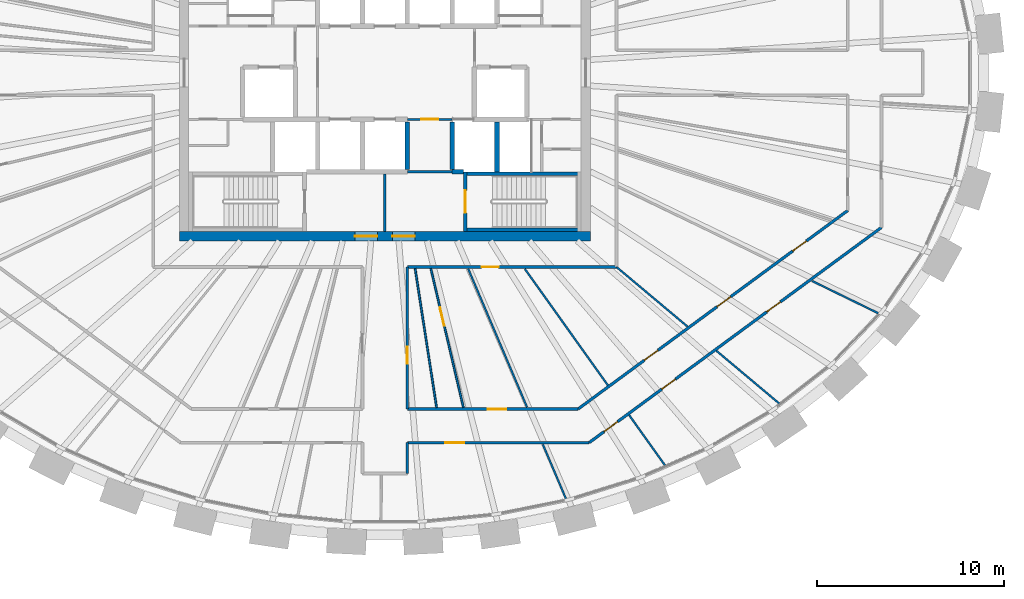
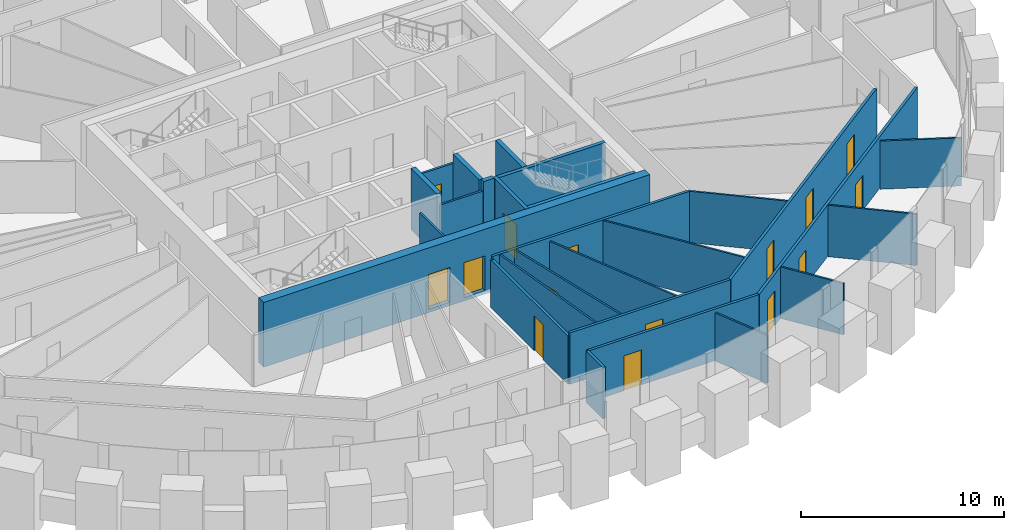
# One storey, part 8 of 12: 27 walls, 15 doors, 15 openings.
"""IFC4 building model written with IfcOpenShell, lengths in metres."""

from ifc_helpers import new_model, si_unit, direction, frame, frame_2d, origin, place, context, subcontext, project, spatial, rectangle, extrude, source, transform, mapped, material, layer, layer_set, type_object, element, fill, save


model = new_model("IFC4")

# Units and contexts
model_context = context("Model", 3, precision=1e-05, world=origin(), true_north=direction((0.0, 1.0)))
body_context = subcontext(model_context, "Body", "Model", "MODEL_VIEW")
ifc_project = project(units=[si_unit("LENGTHUNIT", "METRE"), si_unit("AREAUNIT", "SQUARE_METRE"), si_unit("VOLUMEUNIT", "CUBIC_METRE"), si_unit("PLANEANGLEUNIT", "RADIAN"), si_unit("MASSUNIT", "GRAM", prefix="KILO")], contexts=[model_context])

# Site, building, storey
site_placement = place(None, origin())
site = spatial("IfcSite", under=ifc_project, at=site_placement, CompositionType="ELEMENT")
building_placement = place(site_placement, origin())
building = spatial("IfcBuilding", under=site, at=building_placement, Name="Embergate Tower", CompositionType="ELEMENT")
storey_placement = place(building_placement, frame((0.0, 0.0, 269.5)))
storey = spatial("IfcBuildingStorey", under=building, at=storey_placement, Name="L62", CompositionType="ELEMENT", Elevation=269.5)

# Wall, openings, doors
ifc_material_1 = material(Name="Concrete C50", Category="concrete")
ifc_layer_1 = layer(ifc_material_1, 0.5)
ifc_layer_set_1 = layer_set([ifc_layer_1], Name="Concrete C50")
wall_type_1 = type_object("IfcWallType", Name="Core outer wall C50 500", PredefinedType="SHEAR", material=ifc_layer_set_1)
shared_shape_1 = source(origin(), body_context, "Body", "SweptSolid", [
    extrude(rectangle(XDim=22.0, YDim=0.5, at=frame_2d((11.0, 0.0))), origin(), (0.0, 0.0, 1.0), 3.89990234375),
])
wall_1_placement = place(storey_placement, frame((-11.0, -8.75, -0.199951171875), z_axis=(0.0, 0.0, 1.0), x_axis=(1.0, 0.0, 0.0)))
wall_1 = element("IfcWall", 1, at=wall_1_placement, inside=storey, type_object=wall_type_1, Name="CW-L62-S", PredefinedType="SHEAR", context=body_context, shape_type="MappedRepresentation", body=[
    mapped(shared_shape_1, transform((0.0, 0.0, 0.0))),
])
shared_shape_2 = source(origin(), body_context, "Body", "SweptSolid", [
    extrude(rectangle(XDim=1.199951171875, YDim=2.10009765625, at=frame_2d((0.60009765625, 1.050048828125))), frame((0.0, 0.260009765625, 0.0), z_axis=(0.0, -1.0, 0.0), x_axis=(1.0, 0.0, 0.0)), (0.0, 0.0, 1.0), 0.52001953125),
])
opening_1_placement = place(wall_1_placement, frame((9.39990234375, 0.0, 0.199951171875)))
opening_1 = element("IfcOpeningElement", 2, at=opening_1_placement, cuts=wall_1, Name="Opening IF-1", PredefinedType="OPENING", context=body_context, shape_type="MappedRepresentation", body=[
    mapped(shared_shape_2, transform((0.0, 0.0, 0.0))),
])
opening_2_placement = place(wall_1_placement, frame((11.39990234375, 0.0, 0.199951171875)))
opening_2 = element("IfcOpeningElement", 3, at=opening_2_placement, cuts=wall_1, Name="Opening IF-1", PredefinedType="OPENING", context=body_context, shape_type="MappedRepresentation", body=[
    mapped(shared_shape_2, transform((0.0, 0.0, 0.0))),
])
ifc_material_2 = material(Name="Escape fire door 1200")
door_type_1 = type_object("IfcDoorType", Name="Escape fire door 1200", OperationType="SINGLE_SWING_LEFT", PredefinedType="DOOR", material=ifc_material_2)
shared_shape_3 = source(origin(), body_context, "Body", "SweptSolid", [
    extrude(rectangle(XDim=1.199951171875, YDim=2.10009765625, at=frame_2d((0.60009765625, 1.050048828125))), frame((0.0, 0.02490234375, 0.0), z_axis=(0.0, -1.0, 0.0), x_axis=(1.0, 0.0, 0.0)), (0.0, 0.0, 1.0), 0.050048828125),
])
door_1_placement = place(opening_1_placement, origin())
door_1 = element("IfcDoor", 4, at=door_1_placement, inside=storey, type_object=door_type_1, Name="IF-1 door", OperationType="SINGLE_SWING_RIGHT", OverallHeight=2.10009765625, OverallWidth=1.199951171875, PredefinedType="DOOR", context=body_context, shape_type="MappedRepresentation", body=[
    mapped(shared_shape_3, transform((0.0, 0.0, 0.0))),
])
fill(opening_1, door_1)
door_2_placement = place(opening_2_placement, origin())
door_2 = element("IfcDoor", 5, at=door_2_placement, inside=storey, type_object=door_type_1, Name="IF-1 door", OperationType="SINGLE_SWING_LEFT", OverallHeight=2.10009765625, OverallWidth=1.199951171875, PredefinedType="DOOR", context=body_context, shape_type="MappedRepresentation", body=[
    mapped(shared_shape_3, transform((0.0, 0.0, 0.0))),
])
fill(opening_2, door_2)

# Walls
ifc_layer_2 = layer(ifc_material_1, 0.25)
ifc_layer_set_2 = layer_set([ifc_layer_2], Name="Concrete C50")
wall_type_2 = type_object("IfcWallType", Name="Hoistway wall reinforced concrete 250", PredefinedType="SHEAR", material=ifc_layer_set_2)
shared_shape_4 = source(origin(), body_context, "Body", "SweptSolid", [
    extrude(rectangle(XDim=2.675048828125, YDim=0.25, at=frame_2d((1.33740234375, 0.0))), origin(), (0.0, 0.0, 1.0), 3.699951171875),
])
wall_2_placement = place(storey_placement, frame((6.0, -5.300048828125, 0.0), z_axis=(0.0, 0.0, 1.0), x_axis=(0.0, 1.0, 0.0)))
element("IfcWall", 6, at=wall_2_placement, inside=storey, type_object=wall_type_2, Name="HW-1 wall", PredefinedType="SHEAR", context=body_context, shape_type="MappedRepresentation", body=[
    mapped(shared_shape_4, transform((0.0, 0.0, 0.0))),
])
ifc_layer_3 = layer(ifc_material_1, 0.199951171875)
ifc_layer_set_3 = layer_set([ifc_layer_3], Name="Concrete C50")
wall_type_3 = type_object("IfcWallType", Name="Stair enclosure wall reinforced concrete 250", PredefinedType="SHEAR", material=ifc_layer_set_3)
shared_shape_5 = source(origin(), body_context, "Body", "SweptSolid", [
    extrude(rectangle(XDim=6.300048828125, YDim=0.199951171875, at=frame_2d((3.14990234375, 0.0))), origin(), (0.0, 0.0, 1.0), 3.699951171875),
])
wall_3_placement = place(storey_placement, frame((4.199951171875, -5.39990234375, 0.0), z_axis=(0.0, 0.0, 1.0), x_axis=(1.0, 0.0, 0.0)))
element("IfcWall", 7, at=wall_3_placement, inside=storey, type_object=wall_type_3, Name="SE-1 wall", PredefinedType="SHEAR", context=body_context, shape_type="MappedRepresentation", body=[
    mapped(shared_shape_5, transform((0.0, 0.0, 0.0))),
])
shared_shape_6 = source(origin(), body_context, "Body", "SweptSolid", [
    extrude(rectangle(XDim=2.550048828125, YDim=0.25, at=frame_2d((1.27490234375, 0.0))), origin(), (0.0, 0.0, 1.0), 3.699951171875),
])
for number, where, z_axis, x_axis, name in (
    (8, (1.199951171875, -5.175048828125, 0.0), (0.0, 0.0, 1.0), (0.0, 1.0, 0.0), "HW-1 wall"),
    (9, (3.60009765625, -2.625, 0.0), (0.0, 0.0, 1.0), (0.0, -1.0, 0.0), "HW-1 wall"),
):
    element("IfcWall", number, at=place(storey_placement, frame(where, z_axis=z_axis, x_axis=x_axis)), inside=storey, type_object=wall_type_2, Name=name, PredefinedType="SHEAR", context=body_context, shape_type="MappedRepresentation", body=[
        mapped(shared_shape_6, transform((0.0, 0.0, 0.0))),
    ])

# Wall, opening, door
shared_shape_7 = source(origin(), body_context, "Body", "SweptSolid", [
    extrude(rectangle(XDim=3.199951171875, YDim=0.199951171875, at=frame_2d((1.60009765625, 0.0))), origin(), (0.0, 0.0, 1.0), 3.699951171875),
])
wall_4_placement = place(storey_placement, frame((4.300048828125, -5.300048828125, 0.0), z_axis=(0.0, 0.0, 1.0), x_axis=(0.0, -1.0, 0.0)))
wall_4 = element("IfcWall", 10, at=wall_4_placement, inside=storey, type_object=wall_type_3, Name="SE-1 wall", PredefinedType="SHEAR", context=body_context, shape_type="MappedRepresentation", body=[
    mapped(shared_shape_7, transform((0.0, 0.0, 0.0))),
])
shared_shape_8 = source(origin(), body_context, "Body", "SweptSolid", [
    extrude(rectangle(XDim=1.199951171875, YDim=2.10009765625, at=frame_2d((0.60009765625, 1.050048828125))), frame((0.0, 0.10986328125, 0.0), z_axis=(0.0, -1.0, 0.0), x_axis=(1.0, 0.0, 0.0)), (0.0, 0.0, 1.0), 0.219970703125),
])
opening_3_placement = place(wall_4_placement, frame((1.0, 0.0, 0.0)))
opening_3 = element("IfcOpeningElement", 11, at=opening_3_placement, cuts=wall_4, Name="Opening IF-2", PredefinedType="OPENING", context=body_context, shape_type="MappedRepresentation", body=[
    mapped(shared_shape_8, transform((0.0, 0.0, 0.0))),
])
ifc_material_3 = material(Name="Stair enclosure door 1200")
door_type_2 = type_object("IfcDoorType", Name="Stair enclosure door 1200", OperationType="SINGLE_SWING_LEFT", PredefinedType="DOOR", material=ifc_material_3)
door_3_placement = place(opening_3_placement, origin())
door_3 = element("IfcDoor", 12, at=door_3_placement, inside=storey, type_object=door_type_2, Name="IF-2 door", OperationType="SINGLE_SWING_LEFT", OverallHeight=2.10009765625, OverallWidth=1.199951171875, PredefinedType="DOOR", context=body_context, shape_type="MappedRepresentation", body=[
    mapped(shared_shape_3, transform((0.0, 0.0, 0.0))),
])
fill(opening_3, door_3)

# Walls
shared_shape_9 = source(origin(), body_context, "Body", "SweptSolid", [
    extrude(rectangle(XDim=0.599853515625, YDim=0.25, at=frame_2d((0.2998046875, 0.0))), origin(), (0.0, 0.0, 1.0), 3.699951171875),
])
wall_5_placement = place(storey_placement, frame((3.60009765625, -5.300048828125, 0.0), z_axis=(0.0, 0.0, 1.0), x_axis=(1.0, 0.0, 0.0)))
element("IfcWall", 13, at=wall_5_placement, inside=storey, type_object=wall_type_2, Name="HW-1 wall", PredefinedType="SHEAR", context=body_context, shape_type="MappedRepresentation", body=[
    mapped(shared_shape_9, transform((0.0, 0.0, 0.0))),
])
shared_shape_10 = source(origin(), body_context, "Body", "SweptSolid", [
    extrude(rectangle(XDim=6.298095703125, YDim=0.199951171875, at=frame_2d((3.14892578125, 0.0))), origin(), (0.0, 0.0, 1.0), 3.699951171875),
])
wall_6_placement = place(storey_placement, frame((4.201904296875, -8.39990234375, 0.0), z_axis=(0.0, 0.0, 1.0), x_axis=(1.0, 0.0, 0.0)))
element("IfcWall", 14, at=wall_6_placement, inside=storey, type_object=wall_type_3, Name="SE-1 wall", PredefinedType="SHEAR", context=body_context, shape_type="MappedRepresentation", body=[
    mapped(shared_shape_10, transform((0.0, 0.0, 0.0))),
])

# Wall, opening, door
ifc_material_4 = material(Name="Corridor wall dry-lined 150")
ifc_layer_4 = layer(ifc_material_4, 0.14990234375)
ifc_layer_set_4 = layer_set([ifc_layer_4], Name="Corridor wall dry-lined 150")
wall_type_4 = type_object("IfcWallType", Name="Corridor wall dry-lined 150", PredefinedType="PARTITIONING", material=ifc_layer_set_4)
shared_shape_11 = source(origin(), body_context, "Body", "SweptSolid", [
    extrude(rectangle(XDim=11.199951171875, YDim=0.14990234375, at=frame_2d((5.60009765625, 0.0))), origin(), (0.0, 0.0, 1.0), 3.10009765625),
])
wall_7_placement = place(storey_placement, frame((12.39990234375, -10.39990234375, 0.0), z_axis=(0.0, 0.0, 1.0), x_axis=(-1.0, 0.0, 0.0)))
wall_7 = element("IfcWall", 15, at=wall_7_placement, inside=storey, type_object=wall_type_4, Name="IP-2 wall", PredefinedType="PARTITIONING", context=body_context, shape_type="MappedRepresentation", body=[
    mapped(shared_shape_11, transform((0.0, 0.0, 0.0))),
])
shared_shape_12 = source(origin(), body_context, "Body", "SweptSolid", [
    extrude(rectangle(XDim=0.89990234375, YDim=2.10009765625, at=frame_2d((0.449951171875, 1.050048828125))), frame((0.0, 0.0849609375, 0.0), z_axis=(0.0, -1.0, 0.0), x_axis=(1.0, 0.0, 0.0)), (0.0, 0.0, 1.0), 0.169921875),
])
opening_4_placement = place(wall_7_placement, frame((6.31396484375, 0.0, 0.0)))
opening_4 = element("IfcOpeningElement", 16, at=opening_4_placement, cuts=wall_7, Name="Opening IF-1c", PredefinedType="OPENING", context=body_context, shape_type="MappedRepresentation", body=[
    mapped(shared_shape_12, transform((0.0, 0.0, 0.0))),
])
ifc_material_5 = material(Name="Escape fire door 900")
door_type_3 = type_object("IfcDoorType", Name="Escape fire door 900", OperationType="SINGLE_SWING_LEFT", PredefinedType="DOOR", material=ifc_material_5)
shared_shape_13 = source(origin(), body_context, "Body", "SweptSolid", [
    extrude(rectangle(XDim=0.89990234375, YDim=2.10009765625, at=frame_2d((0.449951171875, 1.050048828125))), frame((0.0, 0.02490234375, 0.0), z_axis=(0.0, -1.0, 0.0), x_axis=(1.0, 0.0, 0.0)), (0.0, 0.0, 1.0), 0.050048828125),
])
door_4_placement = place(opening_4_placement, origin())
door_4 = element("IfcDoor", 17, at=door_4_placement, inside=storey, type_object=door_type_3, Name="IF-1 door", OperationType="SINGLE_SWING_LEFT", OverallHeight=2.10009765625, OverallWidth=0.89990234375, PredefinedType="DOOR", context=body_context, shape_type="MappedRepresentation", body=[
    mapped(shared_shape_13, transform((0.0, 0.0, 0.0))),
])
fill(opening_4, door_4)

ifc_material_6 = material(Name="Core partition blockwork 120")
ifc_layer_5 = layer(ifc_material_6, 0.1201171875)
ifc_layer_set_5 = layer_set([ifc_layer_5], Name="Core partition blockwork 120")
wall_type_5 = type_object("IfcWallType", Name="Core partition blockwork 120", PredefinedType="PARTITIONING", material=ifc_layer_set_5)
shared_shape_14 = source(origin(), body_context, "Body", "SweptSolid", [
    extrude(rectangle(XDim=2.400146484375, YDim=0.1201171875, at=frame_2d((1.2001953125, 0.0))), origin(), (0.0, 0.0, 1.0), 3.10009765625),
])
wall_8_placement = place(storey_placement, frame((1.199951171875, -2.5, 0.0), z_axis=(0.0, 0.0, 1.0), x_axis=(1.0, 0.0, 0.0)))
wall_8 = element("IfcWall", 18, at=wall_8_placement, inside=storey, type_object=wall_type_5, Name="IP-3 wall", PredefinedType="PARTITIONING", context=body_context, shape_type="MappedRepresentation", body=[
    mapped(shared_shape_14, transform((0.0, 0.0, 0.0))),
])
shared_shape_15 = source(origin(), body_context, "Body", "SweptSolid", [
    extrude(rectangle(XDim=0.89990234375, YDim=2.10009765625, at=frame_2d((0.449951171875, 1.050048828125))), frame((0.0, 0.070068359375, 0.0), z_axis=(0.0, -1.0, 0.0), x_axis=(1.0, 0.0, 0.0)), (0.0, 0.0, 1.0), 0.14013671875),
])
opening_5_placement = place(wall_8_placement, frame((0.75, 0.0, 0.0)))
opening_5 = element("IfcOpeningElement", 19, at=opening_5_placement, cuts=wall_8, Name="Opening ID-1", PredefinedType="OPENING", context=body_context, shape_type="MappedRepresentation", body=[
    mapped(shared_shape_15, transform((0.0, 0.0, 0.0))),
])
ifc_material_7 = material(Name="Interior door 900")
door_type_4 = type_object("IfcDoorType", Name="Interior door 900", OperationType="SINGLE_SWING_LEFT", PredefinedType="DOOR", material=ifc_material_7)
door_5_placement = place(opening_5_placement, origin())
door_5 = element("IfcDoor", 20, at=door_5_placement, inside=storey, type_object=door_type_4, Name="ID-1 door", OperationType="SINGLE_SWING_LEFT", OverallHeight=2.10009765625, OverallWidth=0.89990234375, PredefinedType="DOOR", context=body_context, shape_type="MappedRepresentation", body=[
    mapped(shared_shape_13, transform((0.0, 0.0, 0.0))),
])
fill(opening_5, door_5)

# Walls
wall_9_placement = place(storey_placement, frame((3.60009765625, -5.300048828125, 0.0), z_axis=(0.0, 0.0, 1.0), x_axis=(-1.0, 0.0, 0.0)))
element("IfcWall", 21, at=wall_9_placement, inside=storey, type_object=wall_type_5, Name="IP-3 wall", PredefinedType="PARTITIONING", context=body_context, shape_type="MappedRepresentation", body=[
    mapped(shared_shape_14, transform((0.0, 0.0, 0.0))),
])
shared_shape_16 = source(origin(), body_context, "Body", "SweptSolid", [
    extrude(rectangle(XDim=3.074951171875, YDim=0.1201171875, at=frame_2d((1.53759765625, 0.0))), origin(), (0.0, 0.0, 1.0), 3.10009765625),
])
wall_10_placement = place(storey_placement, frame((0.0, -8.5, 0.0), z_axis=(0.0, 0.0, 1.0), x_axis=(0.0, 1.0, 0.0)))
element("IfcWall", 22, at=wall_10_placement, inside=storey, type_object=wall_type_5, Name="IP-3 wall", PredefinedType="PARTITIONING", context=body_context, shape_type="MappedRepresentation", body=[
    mapped(shared_shape_16, transform((0.0, 0.0, 0.0))),
])

# Wall, openings, doors
ifc_material_8 = material(Name="Corridor wall dry-lined 150 wet")
ifc_layer_6 = layer(ifc_material_8, 0.14990234375)
ifc_layer_set_6 = layer_set([ifc_layer_6], Name="Corridor wall dry-lined 150 wet")
wall_type_6 = type_object("IfcWallType", Name="Corridor wall dry-lined 150 wet", PredefinedType="PLUMBINGWALL", material=ifc_layer_set_6)
shared_shape_17 = source(origin(), body_context, "Body", "SweptSolid", [
    extrude(rectangle(XDim=19.429931640625, YDim=0.14990234375, at=frame_2d((9.71484375, 0.0))), origin(), (0.0, 0.0, 1.0), 3.10009765625),
])
wall_11_placement = place(storey_placement, frame((26.5810546875, -8.283935546875, 0.0), z_axis=(0.0, 0.0, 1.0), x_axis=(-0.8053507143, -0.592798639486, 0.0)))
wall_11 = element("IfcWall", 23, at=wall_11_placement, inside=storey, type_object=wall_type_6, Name="IP-2 wall", PredefinedType="PLUMBINGWALL", context=body_context, shape_type="MappedRepresentation", body=[
    mapped(shared_shape_17, transform((0.0, 0.0, 0.0))),
])
opening_6_placement = place(wall_11_placement, frame((17.53515625, 0.0, 0.0)))
opening_6 = element("IfcOpeningElement", 24, at=opening_6_placement, cuts=wall_11, Name="Opening IF-1c", PredefinedType="OPENING", context=body_context, shape_type="MappedRepresentation", body=[
    mapped(shared_shape_12, transform((0.0, 0.0, 0.0))),
])
opening_7_placement = place(wall_11_placement, frame((13.70068359375, 0.0, 0.0)))
opening_7 = element("IfcOpeningElement", 25, at=opening_7_placement, cuts=wall_11, Name="Opening IF-1c", PredefinedType="OPENING", context=body_context, shape_type="MappedRepresentation", body=[
    mapped(shared_shape_12, transform((0.0, 0.0, 0.0))),
])
opening_8_placement = place(wall_11_placement, frame((6.720703125, 0.0, 0.0)))
opening_8 = element("IfcOpeningElement", 26, at=opening_8_placement, cuts=wall_11, Name="Opening IF-1c", PredefinedType="OPENING", context=body_context, shape_type="MappedRepresentation", body=[
    mapped(shared_shape_12, transform((0.0, 0.0, 0.0))),
])
door_6_placement = place(opening_6_placement, origin())
door_6 = element("IfcDoor", 27, at=door_6_placement, inside=storey, type_object=door_type_3, Name="IF-1 door", OperationType="SINGLE_SWING_RIGHT", OverallHeight=2.10009765625, OverallWidth=0.89990234375, PredefinedType="DOOR", context=body_context, shape_type="MappedRepresentation", body=[
    mapped(shared_shape_13, transform((0.0, 0.0, 0.0))),
])
fill(opening_6, door_6)
door_7_placement = place(opening_7_placement, origin())
door_7 = element("IfcDoor", 28, at=door_7_placement, inside=storey, type_object=door_type_3, Name="IF-1 door", OperationType="SINGLE_SWING_RIGHT", OverallHeight=2.10009765625, OverallWidth=0.89990234375, PredefinedType="DOOR", context=body_context, shape_type="MappedRepresentation", body=[
    mapped(shared_shape_13, transform((0.0, 0.0, 0.0))),
])
fill(opening_7, door_7)
door_8_placement = place(opening_8_placement, origin())
door_8 = element("IfcDoor", 29, at=door_8_placement, inside=storey, type_object=door_type_3, Name="IF-1 door", OperationType="SINGLE_SWING_LEFT", OverallHeight=2.10009765625, OverallWidth=0.89990234375, PredefinedType="DOOR", context=body_context, shape_type="MappedRepresentation", body=[
    mapped(shared_shape_13, transform((0.0, 0.0, 0.0))),
])
fill(opening_8, door_8)

# Wall, opening, door
shared_shape_18 = source(origin(), body_context, "Body", "SweptSolid", [
    extrude(rectangle(XDim=9.733154296875, YDim=0.14990234375, at=frame_2d((4.86669921875, 0.0))), origin(), (0.0, 0.0, 1.0), 3.10009765625),
])
wall_12_placement = place(storey_placement, frame((10.93310546875, -19.802001953125, 0.0), z_axis=(0.0, 0.0, 1.0), x_axis=(-1.0, 0.0, 0.0)))
wall_12 = element("IfcWall", 30, at=wall_12_placement, inside=storey, type_object=wall_type_4, Name="IP-2 wall", PredefinedType="PARTITIONING", context=body_context, shape_type="MappedRepresentation", body=[
    mapped(shared_shape_18, transform((0.0, 0.0, 0.0))),
])
shared_shape_19 = source(origin(), body_context, "Body", "SweptSolid", [
    extrude(rectangle(XDim=1.0, YDim=2.10009765625, at=frame_2d((0.5, 1.050048828125))), frame((0.0, 0.0849609375, 0.0), z_axis=(0.0, -1.0, 0.0), x_axis=(1.0, 0.0, 0.0)), (0.0, 0.0, 1.0), 0.169921875),
])
opening_9_placement = place(wall_12_placement, frame((6.69189453125, 0.0, 0.0)))
opening_9 = element("IfcOpeningElement", 31, at=opening_9_placement, cuts=wall_12, Name="Opening ID-2", PredefinedType="OPENING", context=body_context, shape_type="MappedRepresentation", body=[
    mapped(shared_shape_19, transform((0.0, 0.0, 0.0))),
])
ifc_material_9 = material(Name="Interior door 1000")
door_type_5 = type_object("IfcDoorType", Name="Interior door 1000", OperationType="SINGLE_SWING_LEFT", PredefinedType="DOOR", material=ifc_material_9)
shared_shape_20 = source(origin(), body_context, "Body", "SweptSolid", [
    extrude(rectangle(XDim=1.0, YDim=2.10009765625, at=frame_2d((0.5, 1.050048828125))), frame((0.0, 0.02490234375, 0.0), z_axis=(0.0, -1.0, 0.0), x_axis=(1.0, 0.0, 0.0)), (0.0, 0.0, 1.0), 0.050048828125),
])
door_9_placement = place(opening_9_placement, origin())
door_9 = element("IfcDoor", 32, at=door_9_placement, inside=storey, type_object=door_type_5, Name="ID-2 door", OperationType="SINGLE_SWING_RIGHT", OverallHeight=2.10009765625, OverallWidth=1.0, PredefinedType="DOOR", context=body_context, shape_type="MappedRepresentation", body=[
    mapped(shared_shape_20, transform((0.0, 0.0, 0.0))),
])
fill(opening_9, door_9)

# Wall, openings, doors
shared_shape_21 = source(origin(), body_context, "Body", "SweptSolid", [
    extrude(rectangle(XDim=17.9287109375, YDim=0.14990234375, at=frame_2d((8.96435546875, 0.0))), origin(), (0.0, 0.0, 1.0), 3.10009765625),
])
wall_13_placement = place(storey_placement, frame((10.342041015625, -18.001953125, 0.0), z_axis=(0.0, 0.0, 1.0), x_axis=(0.805356928681, 0.592790196803, 0.0)))
wall_13 = element("IfcWall", 33, at=wall_13_placement, inside=storey, type_object=wall_type_6, Name="IP-2 wall", PredefinedType="PLUMBINGWALL", context=body_context, shape_type="MappedRepresentation", body=[
    mapped(shared_shape_21, transform((0.0, 0.0, 0.0))),
])
opening_10_placement = place(wall_13_placement, frame((4.39990234375, 0.0, 0.0)))
opening_10 = element("IfcOpeningElement", 34, at=opening_10_placement, cuts=wall_13, Name="Opening IF-1c", PredefinedType="OPENING", context=body_context, shape_type="MappedRepresentation", body=[
    mapped(shared_shape_12, transform((0.0, 0.0, 0.0))),
])
opening_11_placement = place(wall_13_placement, frame((9.24609375, 0.0, 0.0)))
opening_11 = element("IfcOpeningElement", 35, at=opening_11_placement, cuts=wall_13, Name="Opening IF-1c", PredefinedType="OPENING", context=body_context, shape_type="MappedRepresentation", body=[
    mapped(shared_shape_12, transform((0.0, 0.0, 0.0))),
])
opening_12_placement = place(wall_13_placement, frame((14.27001953125, 0.0, 0.0)))
opening_12 = element("IfcOpeningElement", 36, at=opening_12_placement, cuts=wall_13, Name="Opening IF-1c", PredefinedType="OPENING", context=body_context, shape_type="MappedRepresentation", body=[
    mapped(shared_shape_12, transform((0.0, 0.0, 0.0))),
])
door_10_placement = place(opening_10_placement, origin())
door_10 = element("IfcDoor", 37, at=door_10_placement, inside=storey, type_object=door_type_3, Name="IF-1 door", OperationType="SINGLE_SWING_RIGHT", OverallHeight=2.10009765625, OverallWidth=0.89990234375, PredefinedType="DOOR", context=body_context, shape_type="MappedRepresentation", body=[
    mapped(shared_shape_13, transform((0.0, 0.0, 0.0))),
])
fill(opening_10, door_10)
door_11_placement = place(opening_11_placement, origin())
door_11 = element("IfcDoor", 38, at=door_11_placement, inside=storey, type_object=door_type_3, Name="IF-1 door", OperationType="SINGLE_SWING_RIGHT", OverallHeight=2.10009765625, OverallWidth=0.89990234375, PredefinedType="DOOR", context=body_context, shape_type="MappedRepresentation", body=[
    mapped(shared_shape_13, transform((0.0, 0.0, 0.0))),
])
fill(opening_11, door_11)
door_12_placement = place(opening_12_placement, origin())
door_12 = element("IfcDoor", 39, at=door_12_placement, inside=storey, type_object=door_type_3, Name="IF-1 door", OperationType="SINGLE_SWING_RIGHT", OverallHeight=2.10009765625, OverallWidth=0.89990234375, PredefinedType="DOOR", context=body_context, shape_type="MappedRepresentation", body=[
    mapped(shared_shape_13, transform((0.0, 0.0, 0.0))),
])
fill(opening_12, door_12)

# Wall, opening, door
shared_shape_22 = source(origin(), body_context, "Body", "SweptSolid", [
    extrude(rectangle(XDim=9.14208984375, YDim=0.14990234375, at=frame_2d((4.571044921875, 0.0))), origin(), (0.0, 0.0, 1.0), 3.10009765625),
])
wall_14_placement = place(storey_placement, frame((1.199951171875, -18.001953125, 0.0), z_axis=(0.0, 0.0, 1.0), x_axis=(1.0, 0.0, 0.0)))
wall_14 = element("IfcWall", 40, at=wall_14_placement, inside=storey, type_object=wall_type_4, Name="IP-2 wall", PredefinedType="PARTITIONING", context=body_context, shape_type="MappedRepresentation", body=[
    mapped(shared_shape_22, transform((0.0, 0.0, 0.0))),
])
opening_13_placement = place(wall_14_placement, frame((4.31103515625, 0.0, 0.0)))
opening_13 = element("IfcOpeningElement", 41, at=opening_13_placement, cuts=wall_14, Name="Opening ID-2", PredefinedType="OPENING", context=body_context, shape_type="MappedRepresentation", body=[
    mapped(shared_shape_19, transform((0.0, 0.0, 0.0))),
])
door_13_placement = place(opening_13_placement, origin())
door_13 = element("IfcDoor", 42, at=door_13_placement, inside=storey, type_object=door_type_5, Name="ID-2 door", OperationType="SINGLE_SWING_RIGHT", OverallHeight=2.10009765625, OverallWidth=1.0, PredefinedType="DOOR", context=body_context, shape_type="MappedRepresentation", body=[
    mapped(shared_shape_20, transform((0.0, 0.0, 0.0))),
])
fill(opening_13, door_13)

# Wall
shared_shape_23 = source(origin(), body_context, "Body", "SweptSolid", [
    extrude(rectangle(XDim=1.656982421875, YDim=0.14990234375, at=frame_2d((0.82861328125, 0.0))), origin(), (0.0, 0.0, 1.0), 3.10009765625),
])
wall_15_placement = place(storey_placement, frame((1.199951171875, -19.802001953125, 0.0), z_axis=(0.0, 0.0, 1.0), x_axis=(0.0, -1.0, 0.0)))
element("IfcWall", 43, at=wall_15_placement, inside=storey, type_object=wall_type_4, Name="IP-2 wall", PredefinedType="PARTITIONING", context=body_context, shape_type="MappedRepresentation", body=[
    mapped(shared_shape_23, transform((0.0, 0.0, 0.0))),
])

# Wall, opening, door
shared_shape_24 = source(origin(), body_context, "Body", "SweptSolid", [
    extrude(rectangle(XDim=7.60205078125, YDim=0.14990234375, at=frame_2d((3.801025390625, 0.0))), origin(), (0.0, 0.0, 1.0), 2.89990234375),
])
wall_16_placement = place(storey_placement, frame((1.199951171875, -10.39990234375, 0.0), z_axis=(0.0, 0.0, 1.0), x_axis=(0.0, -1.0, 0.0)))
wall_16 = element("IfcWall", 44, at=wall_16_placement, inside=storey, type_object=wall_type_4, Name="IP-2 wall", PredefinedType="PARTITIONING", context=body_context, shape_type="MappedRepresentation", body=[
    mapped(shared_shape_24, transform((0.0, 0.0, 0.0))),
])
opening_14_placement = place(wall_16_placement, frame((4.26611328125, 0.0, 0.0)))
opening_14 = element("IfcOpeningElement", 45, at=opening_14_placement, cuts=wall_16, Name="Opening IF-1c", PredefinedType="OPENING", context=body_context, shape_type="MappedRepresentation", body=[
    mapped(shared_shape_12, transform((0.0, 0.0, 0.0))),
])
door_14_placement = place(opening_14_placement, origin())
door_14 = element("IfcDoor", 46, at=door_14_placement, inside=storey, type_object=door_type_3, Name="IF-1 door", OperationType="SINGLE_SWING_LEFT", OverallHeight=2.10009765625, OverallWidth=0.89990234375, PredefinedType="DOOR", context=body_context, shape_type="MappedRepresentation", body=[
    mapped(shared_shape_13, transform((0.0, 0.0, 0.0))),
])
fill(opening_14, door_14)

# Walls
ifc_material_10 = material(Name="Partition dry-lined 100 wet")
ifc_layer_7 = layer(ifc_material_10, 0.10009765625)
ifc_layer_set_7 = layer_set([ifc_layer_7], Name="Partition dry-lined 100 wet")
wall_type_7 = type_object("IfcWallType", Name="Partition dry-lined 100 wet", PredefinedType="PLUMBINGWALL", material=ifc_layer_set_7)
shared_shape_25 = source(origin(), body_context, "Body", "SweptSolid", [
    extrude(rectangle(XDim=4.029052734375, YDim=0.10009765625, at=frame_2d((2.0146484375, 0.0))), origin(), (0.0, 0.0, 1.0), 2.89990234375),
])
wall_17_placement = place(storey_placement, frame((22.863037109375, -11.14306640625, 0.0), z_axis=(0.0, 0.0, 1.0), x_axis=(0.898961115704, -0.43802843795, 0.0)))
element("IfcWall", 47, at=wall_17_placement, inside=storey, type_object=wall_type_7, Name="IP-1 wall", PredefinedType="PLUMBINGWALL", context=body_context, shape_type="MappedRepresentation", body=[
    mapped(shared_shape_25, transform((0.0, 0.0, 0.0))),
])
shared_shape_26 = source(origin(), body_context, "Body", "SweptSolid", [
    extrude(rectangle(XDim=3.234619140625, YDim=0.10009765625, at=frame_2d((1.6171875, 0.0))), origin(), (0.0, 0.0, 1.0), 2.89990234375),
])
wall_18_placement = place(storey_placement, frame((9.721923828125, -22.873046875, 0.0), z_axis=(0.0, 0.0, 1.0), x_axis=(-0.391047939918, 0.920370310628, 0.0)))
element("IfcWall", 48, at=wall_18_placement, inside=storey, type_object=wall_type_7, Name="IP-1 wall", PredefinedType="PLUMBINGWALL", context=body_context, shape_type="MappedRepresentation", body=[
    mapped(shared_shape_26, transform((0.0, 0.0, 0.0))),
])
shared_shape_27 = source(origin(), body_context, "Body", "SweptSolid", [
    extrude(rectangle(XDim=8.053955078125, YDim=0.10009765625, at=frame_2d((4.02685546875, 0.0))), origin(), (0.0, 0.0, 1.0), 2.89990234375),
])
wall_19_placement = place(storey_placement, frame((7.612060546875, -17.906982421875, 0.0), z_axis=(0.0, 0.0, 1.0), x_axis=(-0.391254252204, 0.920282625139, 0.0)))
element("IfcWall", 49, at=wall_19_placement, inside=storey, type_object=wall_type_7, Name="IP-1 wall", PredefinedType="PLUMBINGWALL", context=body_context, shape_type="MappedRepresentation", body=[
    mapped(shared_shape_27, transform((0.0, 0.0, 0.0))),
])
ifc_material_11 = material(Name="Partition dry-lined 100")
ifc_layer_8 = layer(ifc_material_11, 0.10009765625)
ifc_layer_set_8 = layer_set([ifc_layer_8], Name="Partition dry-lined 100")
wall_type_8 = type_object("IfcWallType", Name="Partition dry-lined 100", PredefinedType="PARTITIONING", material=ifc_layer_set_8)
shared_shape_28 = source(origin(), body_context, "Body", "SweptSolid", [
    extrude(rectangle(XDim=7.524169921875, YDim=0.10009765625, at=frame_2d((3.76220703125, 0.0))), origin(), (0.0, 0.0, 1.0), 3.10009765625),
])
wall_20_placement = place(storey_placement, frame((1.6201171875, -10.48291015625, 0.0), z_axis=(0.0, 0.0, 1.0), x_axis=(0.152695966135, -0.988273212187, 0.0)))
element("IfcWall", 50, at=wall_20_placement, inside=storey, type_object=wall_type_8, Name="IP-1 wall", PredefinedType="PARTITIONING", context=body_context, shape_type="MappedRepresentation", body=[
    mapped(shared_shape_28, transform((0.0, 0.0, 0.0))),
])

# Wall, opening, door
shared_shape_29 = source(origin(), body_context, "Body", "SweptSolid", [
    extrude(rectangle(XDim=7.630859375, YDim=0.10009765625, at=frame_2d((3.8154296875, 0.0))), origin(), (0.0, 0.0, 1.0), 3.10009765625),
])
wall_21_placement = place(storey_placement, frame((2.4609375, -10.486083984375, 0.0), z_axis=(0.0, 0.0, 1.0), x_axis=(0.228561397008, -0.973529500219, 0.0)))
wall_21 = element("IfcWall", 51, at=wall_21_placement, inside=storey, type_object=wall_type_8, Name="IP-1 wall", PredefinedType="PARTITIONING", context=body_context, shape_type="MappedRepresentation", body=[
    mapped(shared_shape_29, transform((0.0, 0.0, 0.0))),
])
shared_shape_30 = source(origin(), body_context, "Body", "SweptSolid", [
    extrude(rectangle(XDim=1.0, YDim=2.10009765625, at=frame_2d((0.5, 1.050048828125))), frame((0.0, 0.06005859375, 0.0), z_axis=(0.0, -1.0, 0.0), x_axis=(1.0, 0.0, 0.0)), (0.0, 0.0, 1.0), 0.1201171875),
])
opening_15_placement = place(wall_21_placement, frame((2.135498046875, 0.0, 0.0)))
opening_15 = element("IfcOpeningElement", 52, at=opening_15_placement, cuts=wall_21, Name="Opening ID-2", PredefinedType="OPENING", context=body_context, shape_type="MappedRepresentation", body=[
    mapped(shared_shape_30, transform((0.0, 0.0, 0.0))),
])
door_15_placement = place(opening_15_placement, origin())
door_15 = element("IfcDoor", 53, at=door_15_placement, inside=storey, type_object=door_type_5, Name="ID-2 door", OperationType="SINGLE_SWING_RIGHT", OverallHeight=2.10009765625, OverallWidth=1.0, PredefinedType="DOOR", context=body_context, shape_type="MappedRepresentation", body=[
    mapped(shared_shape_20, transform((0.0, 0.0, 0.0))),
])
fill(opening_15, door_15)

# Walls
shared_shape_31 = source(origin(), body_context, "Body", "SweptSolid", [
    extrude(rectangle(XDim=3.422607421875, YDim=0.10009765625, at=frame_2d((1.71142578125, 0.0))), origin(), (0.0, 0.0, 1.0), 3.10009765625),
])
wall_22_placement = place(storey_placement, frame((13.072021484375, -18.320068359375, 0.0), z_axis=(0.0, 0.0, 1.0), x_axis=(0.58087375304, -0.81399366277, 0.0)))
element("IfcWall", 54, at=wall_22_placement, inside=storey, type_object=wall_type_7, Name="IP-1 wall", PredefinedType="PLUMBINGWALL", context=body_context, shape_type="MappedRepresentation", body=[
    mapped(shared_shape_31, transform((0.0, 0.0, 0.0))),
])
shared_shape_32 = source(origin(), body_context, "Body", "SweptSolid", [
    extrude(rectangle(XDim=4.459716796875, YDim=0.10009765625, at=frame_2d((2.22998046875, 0.0))), origin(), (0.0, 0.0, 1.0), 3.10009765625),
])
wall_23_placement = place(storey_placement, frame((17.75390625, -14.888916015625, 0.0), z_axis=(0.0, 0.0, 1.0), x_axis=(0.766180239973, -0.642625738571, 0.0)))
element("IfcWall", 55, at=wall_23_placement, inside=storey, type_object=wall_type_7, Name="IP-1 wall", PredefinedType="PLUMBINGWALL", context=body_context, shape_type="MappedRepresentation", body=[
    mapped(shared_shape_32, transform((0.0, 0.0, 0.0))),
])
shared_shape_33 = source(origin(), body_context, "Body", "SweptSolid", [
    extrude(rectangle(XDim=7.65234375, YDim=0.10009765625, at=frame_2d((3.826171875, 0.0))), origin(), (0.0, 0.0, 1.0), 3.10009765625),
])
wall_24_placement = place(storey_placement, frame((7.4951171875, -10.50390625, 0.0), z_axis=(0.0, 0.0, 1.0), x_axis=(0.580851826086, -0.81400930961, 0.0)))
element("IfcWall", 56, at=wall_24_placement, inside=storey, type_object=wall_type_7, Name="IP-1 wall", PredefinedType="PLUMBINGWALL", context=body_context, shape_type="MappedRepresentation", body=[
    mapped(shared_shape_33, transform((0.0, 0.0, 0.0))),
])
shared_shape_34 = source(origin(), body_context, "Body", "SweptSolid", [
    extrude(rectangle(XDim=4.956787109375, YDim=0.10009765625, at=frame_2d((2.478515625, 0.0))), origin(), (0.0, 0.0, 1.0), 3.10009765625),
])
wall_25_placement = place(storey_placement, frame((12.39990234375, -10.39892578125, 0.0), z_axis=(0.0, 0.0, 1.0), x_axis=(0.766235348902, -0.642560028397, 0.0)))
element("IfcWall", 57, at=wall_25_placement, inside=storey, type_object=wall_type_7, Name="IP-1 wall", PredefinedType="PLUMBINGWALL", context=body_context, shape_type="MappedRepresentation", body=[
    mapped(shared_shape_34, transform((0.0, 0.0, 0.0))),
])

save(model, "model.ifc")
